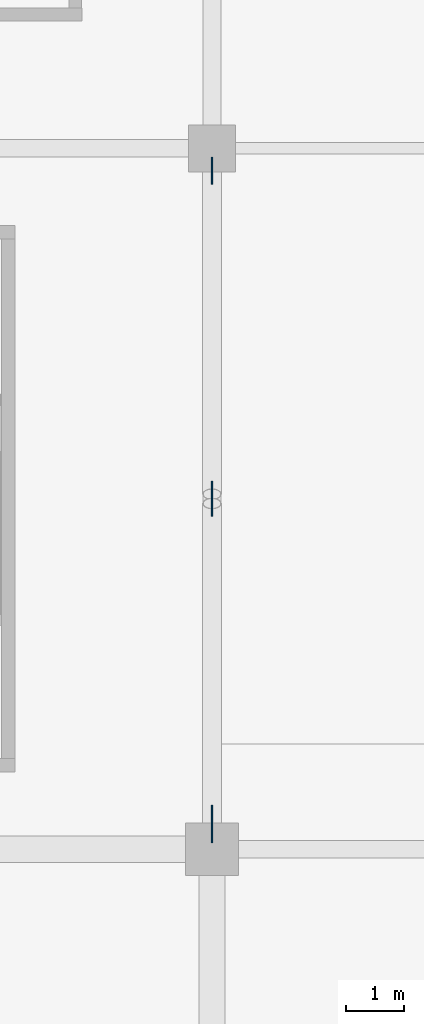
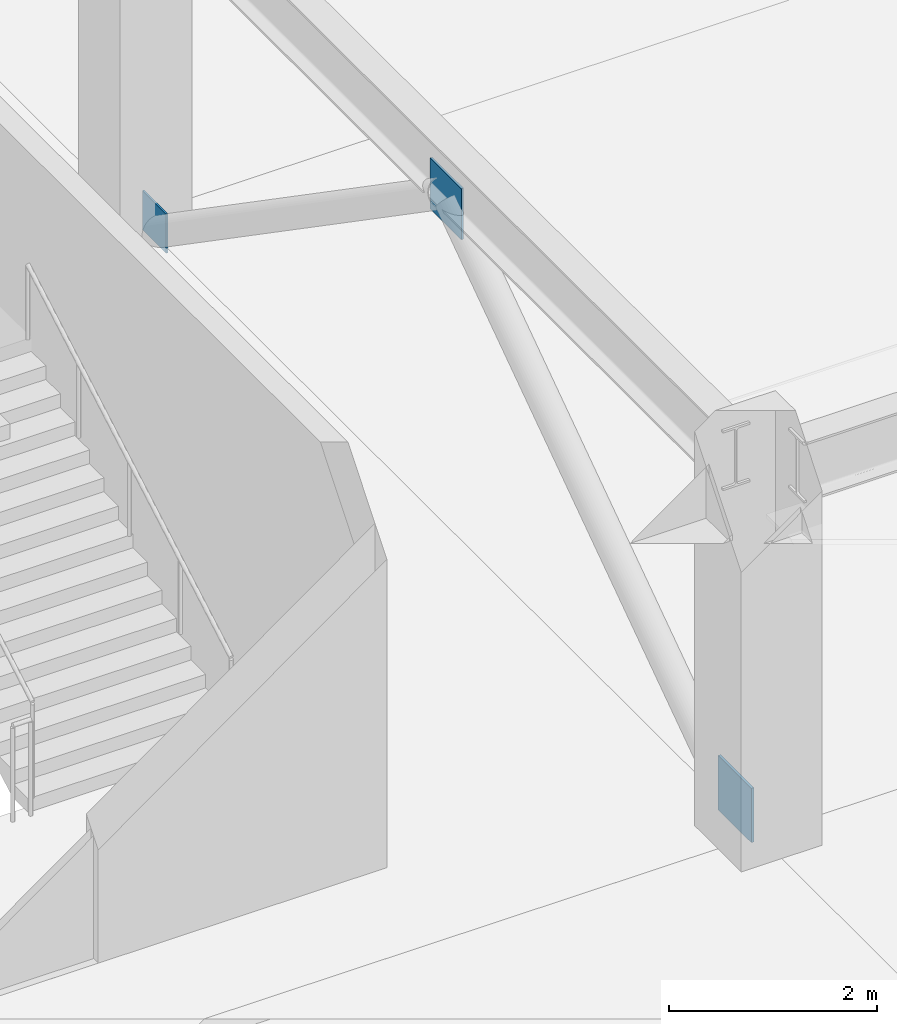
# One storey, part 73 of 134: 3 plates.
"""IFC4 building model written with IfcOpenShell, lengths in metres."""

import ifcopenshell
import ifcopenshell.guid

model = None  # the IFC model being written
_history = None  # IfcOwnerHistory: only IFC2X3 demands one
_inside = {}  # id of a spatial element -> (the spatial element, [elements in it])
_under = {}  # id of a project, library or spatial element -> (it, [spatial elements below it])
_declared = {}  # id of a project -> (the project, [libraries it declares])
_typed = {}  # id of a type object -> (the type object, [elements of that type])
_made_of = {}  # id of a material, layer set ... -> (it, [elements and type objects made of it])


def new_model(schema):
    """Start an empty IFC model of exactly this schema.

    Asked for "IFC4X3", IfcOpenShell would pick the latest addendum, in which some entities
    have other attributes; the version numbers below select the first issue.
    IFC2X3 requires an IfcOwnerHistory on every rooted entity: one is made here for all.
    """
    global model, _history
    if schema == "IFC4X3":
        model = ifcopenshell.file(schema_version=(4, 3, 0, 0))
    else:
        model = ifcopenshell.file(schema=schema)
    _inside.clear()
    _under.clear()
    _declared.clear()
    _typed.clear()
    _made_of.clear()
    _history = None
    if model.schema == "IFC2X3":
        org = make("IfcOrganization", Name="unknown")
        user = make(
            "IfcPersonAndOrganization",
            ThePerson=make("IfcPerson", FamilyName="unknown"),
            TheOrganization=org,
        )
        app = make(
            "IfcApplication",
            ApplicationDeveloper=org,
            Version="unknown",
            ApplicationFullName="unknown",
            ApplicationIdentifier="unknown",
        )
        _history = make(
            "IfcOwnerHistory",
            OwningUser=user,
            OwningApplication=app,
            ChangeAction="ADDED",
            CreationDate=0,
        )
    return model


def make(cls, **values):
    """One entity of the class cls with the attributes given. An attribute that is None is left unset."""
    return model.create_entity(
        cls, **{name: value for name, value in values.items() if value is not None}
    )


def rooted(cls, **values):
    """An entity with a GlobalId (a new one), such as an element, a storey or a relation."""
    return make(cls, GlobalId=ifcopenshell.guid.new(), OwnerHistory=_history, **values)


def si_unit(unit_type, name, prefix=None):
    """IfcSIUnit, for example si_unit("LENGTHUNIT", "METRE", prefix="MILLI")."""
    return make("IfcSIUnit", UnitType=unit_type, Prefix=prefix, Name=name)


def assignment(units):
    """IfcUnitAssignment: the units of a project."""
    return None if units is None else make("IfcUnitAssignment", Units=units)


def point(xyz):
    """IfcCartesianPoint."""
    return None if xyz is None else make("IfcCartesianPoint", Coordinates=xyz)


def direction(xyz):
    """IfcDirection."""
    return None if xyz is None else make("IfcDirection", DirectionRatios=xyz)


def frame(location, z_axis=None, x_axis=None):
    """IfcAxis2Placement3D, a coordinate frame: its origin and axes. An axis left out is left unset."""
    return make(
        "IfcAxis2Placement3D",
        Location=point(location),
        Axis=direction(z_axis),
        RefDirection=direction(x_axis),
    )


def frame_2d(location, x_axis=None):
    """IfcAxis2Placement2D, a coordinate frame in the plane: its origin and x axis."""
    return make(
        "IfcAxis2Placement2D", Location=point(location), RefDirection=direction(x_axis)
    )


def origin():
    """The frame at (0, 0, 0) with its axes left unset."""
    return frame((0.0, 0.0, 0.0))


def origin_2d():
    """The frame at (0, 0) in the plane with its x axis left unset."""
    return frame_2d((0.0, 0.0))


def place(relative_to, where):
    """IfcLocalPlacement: puts the frame where relative to a parent placement (None: the world)."""
    return make(
        "IfcLocalPlacement", PlacementRelTo=relative_to, RelativePlacement=where
    )


def context(
    kind, dimensions, precision=None, world=None, true_north=None, identifier=None
):
    """IfcGeometricRepresentationContext, for example the 3D "Model" context."""
    return make(
        "IfcGeometricRepresentationContext",
        ContextIdentifier=identifier,
        ContextType=kind,
        CoordinateSpaceDimension=dimensions,
        Precision=precision,
        WorldCoordinateSystem=world,
        TrueNorth=true_north,
    )


def subcontext(parent, identifier, kind, view, scale=None):
    """IfcGeometricRepresentationSubContext, for example "Body" below "Model"."""
    return make(
        "IfcGeometricRepresentationSubContext",
        ContextIdentifier=identifier,
        ContextType=kind,
        ParentContext=parent,
        TargetScale=scale,
        TargetView=view,
    )


def project(units=None, contexts=None):
    """IfcProject with its units and contexts."""
    return rooted(
        "IfcProject",
        Name="project",
        RepresentationContexts=contexts,
        UnitsInContext=assignment(units),
    )


def spatial(cls, under=None, at=None, **own):
    """A site, building, storey or space (cls), placed at a placement, below another one or the project."""
    s = rooted(cls, ObjectPlacement=at, **own)
    if under is not None:
        _under.setdefault(under.id(), (under, []))[1].append(s)
    return s


def profile(cls, at=None, kind="AREA", **sizes):
    """A parametric profile (cls). Its sizes go by their IFC names, for example OverallWidth=200.0."""
    return make(cls, ProfileType=kind, Position=at, **sizes)


def rectangle(**sizes):
    """IfcRectangleProfileDef."""
    return profile("IfcRectangleProfileDef", **sizes)


def extrude(swept, where, along, depth):
    """IfcExtrudedAreaSolid: the profile swept, set in the frame where, extruded along a direction by depth."""
    return make(
        "IfcExtrudedAreaSolid",
        SweptArea=swept,
        Position=where,
        ExtrudedDirection=direction(along),
        Depth=depth,
    )


def shape(context_of_items, identifier, shape_type, items):
    """IfcShapeRepresentation: the items that make up one representation, for example the "Body"."""
    return make(
        "IfcShapeRepresentation",
        ContextOfItems=context_of_items,
        RepresentationIdentifier=identifier,
        RepresentationType=shape_type,
        Items=items,
    )


def material(Name=None, Category=None):
    """IfcMaterial."""
    return make("IfcMaterial", Name=Name, Category=Category)


def layer(
    of_material, thickness, ventilated=None, Name=None, Category=None, Priority=None
):
    """IfcMaterialLayer: one layer of a wall or slab, of a material (None: an air gap)."""
    return make(
        "IfcMaterialLayer",
        Material=of_material,
        LayerThickness=thickness,
        IsVentilated=ventilated,
        Name=Name,
        Category=Category,
        Priority=Priority,
    )


def layer_set(layers, Name=None):
    """IfcMaterialLayerSet."""
    return make("IfcMaterialLayerSet", MaterialLayers=layers, LayerSetName=Name)


def made_of(thing, what):
    """Note that an element or type object is made of a material, layer set ...; save() writes the relation."""
    if what is not None:
        _made_of.setdefault(what.id(), (what, []))[1].append(thing)
    return thing


def type_object(cls, material=None, **own):
    """A type object (cls), such as IfcWallType, which elements share."""
    return made_of(rooted(cls, **own), material)


def element(
    cls,
    number,
    at=None,
    inside=None,
    cuts=None,
    type_object=None,
    material=None,
    context=None,
    identifier="Body",
    shape_type=None,
    held_by="IfcProductDefinitionShape",
    body=None,
    shapes=None,
    **own,
):
    """One element of the class cls, such as IfcWall. Its Tag is "e" and its number.

    at: its placement. inside: the storey or other place that contains it. cuts: it is an
    opening in that element (IfcRelVoidsElement). A single representation is given by context,
    identifier, shape_type and body (its items); several are given by shapes. held_by: the class
    of the entity that holds the representations. save() writes the other relations.
    """
    e = rooted(cls, Tag="e%d" % number, ObjectPlacement=at, **own)
    if body is not None:
        shapes = [shape(context, identifier, shape_type, body)]
    if shapes is not None:
        e.Representation = make(held_by, Representations=shapes)
    if inside is not None:
        _inside.setdefault(inside.id(), (inside, []))[1].append(e)
    if cuts is not None:
        rooted(
            "IfcRelVoidsElement", RelatingBuildingElement=cuts, RelatedOpeningElement=e
        )
    if type_object is not None:
        _typed.setdefault(type_object.id(), (type_object, []))[1].append(e)
    return made_of(e, material)


def aggregate(whole, parts):
    """IfcRelAggregates: a whole, such as a stair, and the parts it consists of."""
    return rooted("IfcRelAggregates", RelatingObject=whole, RelatedObjects=parts)


def save(model, path):
    """Write the relations noted so far, then the file.

    IfcRelAggregates (storeys below a building ...), IfcRelContainedInSpatialStructure (elements
    in a storey), IfcRelDefinesByType, IfcRelAssociatesMaterial and IfcRelDeclares: one each for
    every whole, place, type object, material and project.
    """
    for whole, parts in _under.values():
        aggregate(whole, parts)
    for where, things in _inside.values():
        rooted(
            "IfcRelContainedInSpatialStructure",
            RelatedElements=things,
            RelatingStructure=where,
        )
    for kind, things in _typed.values():
        rooted("IfcRelDefinesByType", RelatedObjects=things, RelatingType=kind)
    for what, things in _made_of.values():
        rooted("IfcRelAssociatesMaterial", RelatedObjects=things, RelatingMaterial=what)
    for by, libraries in _declared.values():
        rooted("IfcRelDeclares", RelatingContext=by, RelatedDefinitions=libraries)
    model.write(path)


model = new_model("IFC4")

# Units and contexts
model_context = context("Model", 3, precision=1e-05, world=origin(), true_north=direction((0.0, 1.0)))
body_context = subcontext(model_context, "Body", "Model", "MODEL_VIEW")
ifc_project = project(units=[si_unit("LENGTHUNIT", "METRE"), si_unit("AREAUNIT", "SQUARE_METRE"), si_unit("VOLUMEUNIT", "CUBIC_METRE"), si_unit("PLANEANGLEUNIT", "RADIAN"), si_unit("MASSUNIT", "GRAM", prefix="KILO")], contexts=[model_context])

# Site, building, storey
site_placement = place(None, origin())
site = spatial("IfcSite", under=ifc_project, at=site_placement, CompositionType="ELEMENT")
building_placement = place(site_placement, origin())
building = spatial("IfcBuilding", under=site, at=building_placement, Name="Kazenohara Klinker Stadium", CompositionType="ELEMENT")
storey_placement = place(building_placement, frame((0.0, 0.0, 5.39990234375)))
storey = spatial("IfcBuildingStorey", under=building, at=storey_placement, Name="L01", CompositionType="ELEMENT", Elevation=5.39990234375)

# Plates
ifc_material = material(Name="Steel S355", Category="steel")
ifc_layer_1 = layer(ifc_material, 0.02001953125)
ifc_layer_set_1 = layer_set([ifc_layer_1], Name="Steel S355")
plate_type_1 = type_object("IfcPlateType", Name="PLT-GP01", PredefinedType="USERDEFINED", material=ifc_layer_set_1)
plate_1_placement = place(storey_placement, frame((24.0, 107.6201171875, -0.059814453125), z_axis=(0.0, 0.0, 1.0), x_axis=(1.0, 0.0, 0.0)))
element("IfcPlate", 1, at=plate_1_placement, inside=storey, type_object=plate_type_1, Name="Chevron brace gusset plate GP01 L01 3/J BOT-B", ObjectType="GUSSET PLATE", PredefinedType="USERDEFINED", context=body_context, shape_type="SweptSolid", body=[
    extrude(rectangle(XDim=0.02001953125, YDim=0.4599609375, at=origin_2d()), origin(), (0.0, 0.0, 1.0), 0.4599609375),
])
ifc_layer_2 = layer(ifc_material, 0.02587890625)
ifc_layer_set_2 = layer_set([ifc_layer_2], Name="Steel S355")
plate_type_2 = type_object("IfcPlateType", Name="PLT-GP05", PredefinedType="USERDEFINED", material=ifc_layer_set_2)
plate_2_placement = place(storey_placement, frame((24.0, 102.0, 3.550048828125), z_axis=(0.0, 0.0, 1.0), x_axis=(1.0, 0.0, 0.0)))
element("IfcPlate", 2, at=plate_2_placement, inside=storey, type_object=plate_type_2, Name="Chevron brace gusset plate GP05 L01 3/J TOP", ObjectType="GUSSET PLATE", PredefinedType="USERDEFINED", context=body_context, shape_type="SweptSolid", body=[
    extrude(rectangle(XDim=0.02587890625, YDim=0.60009765625, at=origin_2d()), origin(), (0.0, 0.0, 1.0), 0.60009765625),
])
ifc_layer_3 = layer(ifc_material, 0.028076171875)
ifc_layer_set_3 = layer_set([ifc_layer_3], Name="Steel S355")
plate_type_3 = type_object("IfcPlateType", Name="PLT-GP06", PredefinedType="USERDEFINED", material=ifc_layer_set_3)
plate_3_placement = place(storey_placement, frame((24.0, 96.429931640625, -0.14990234375), z_axis=(0.0, 0.0, 1.0), x_axis=(1.0, 0.0, 0.0)))
element("IfcPlate", 3, at=plate_3_placement, inside=storey, type_object=plate_type_3, Name="Chevron brace gusset plate GP06 L01 3/J BOT-A", ObjectType="GUSSET PLATE", PredefinedType="USERDEFINED", context=body_context, shape_type="SweptSolid", body=[
    extrude(rectangle(XDim=0.028076171875, YDim=0.639892578125, at=origin_2d()), origin(), (0.0, 0.0, 1.0), 0.639892578125),
])

save(model, "model.ifc")
